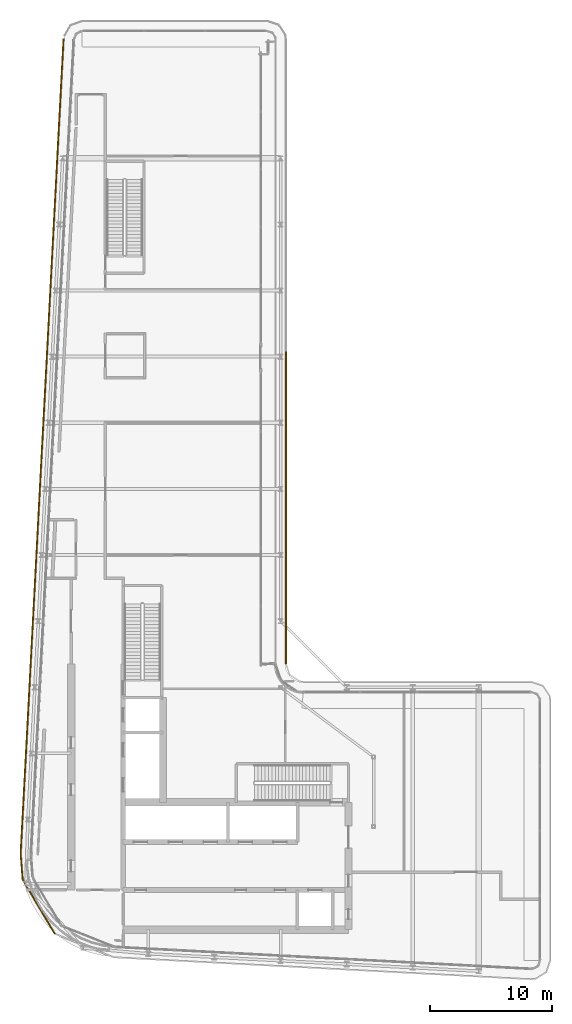
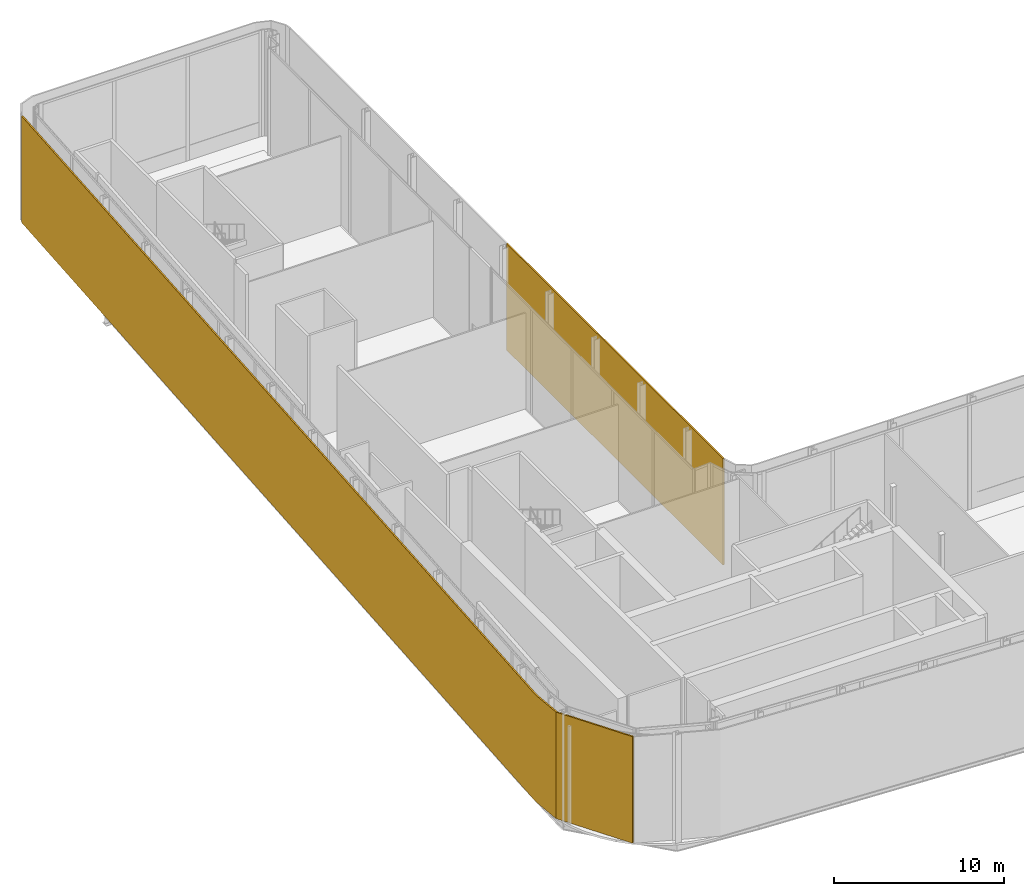
# One storey, part 27 of 28: 2 shading devices.
"""IFC4 building model written with IfcOpenShell, lengths in metres."""

from ifc_helpers import new_model, si_unit, direction, frame, origin, origin_2d, place, context, subcontext, project, spatial, polyline, rectangle, outline, extrude, material, layer, layer_set, type_object, element, save


model = new_model("IFC4")

# Units and contexts
model_context = context("Model", 3, precision=1e-05, world=origin(), true_north=direction((0.0, 1.0)))
body_context = subcontext(model_context, "Body", "Model", "MODEL_VIEW")
ifc_project = project(units=[si_unit("LENGTHUNIT", "METRE"), si_unit("AREAUNIT", "SQUARE_METRE"), si_unit("VOLUMEUNIT", "CUBIC_METRE"), si_unit("PLANEANGLEUNIT", "RADIAN"), si_unit("MASSUNIT", "GRAM", prefix="KILO")], contexts=[model_context])

# Site, building, storey
site_placement = place(None, origin())
site = spatial("IfcSite", under=ifc_project, at=site_placement, CompositionType="ELEMENT")
building_placement = place(site_placement, origin())
building = spatial("IfcBuilding", under=site, at=building_placement, Name="Kheshtan School and Residences Tower", CompositionType="ELEMENT")
storey_placement = place(building_placement, frame((0.0, 0.0, 325.39990234375)))
storey = spatial("IfcBuildingStorey", under=building, at=storey_placement, Name="L77", CompositionType="ELEMENT", Elevation=325.39990234375)

# Shading devices
ifc_material_1 = material(Name="Terracotta baguette, extruded ceramic", Category="masonry")
ifc_layer_1 = layer(ifc_material_1, 0.10009765625)
ifc_layer_set_1 = layer_set([ifc_layer_1], Name="Ledge screen, terracotta baguettes")
shading_device_type_1 = type_object("IfcShadingDeviceType", Name="Ledge screen, terracotta baguettes", PredefinedType="USERDEFINED", material=ifc_layer_set_1)
shading_device_1_placement = place(storey_placement, origin())
element("IfcShadingDevice", 1, at=shading_device_1_placement, inside=storey, type_object=shading_device_type_1, Name="Screen L77 5", ObjectType="BAGUETTE", PredefinedType="USERDEFINED", context=body_context, shape_type="SweptSolid", body=[
    extrude(outline(polyline([(29.2119140625, 25.486083984375), (26.583984375, 29.906982421875), (26.419921875, 31.989013671875), (29.925048828125, 98.5791015625), (29.824951171875, 98.583984375), (26.320068359375, 31.988037109375), (26.486083984375, 29.8759765625), (29.1259765625, 25.43505859375), (29.2119140625, 25.486083984375)])), origin(), (0.0, 0.0, 1.0), 7.650146484375),
])
ifc_material_2 = material(Name="Terracotta lattice, extruded ceramic", Category="masonry")
ifc_layer_2 = layer(ifc_material_2, 0.10009765625)
ifc_layer_set_2 = layer_set([ifc_layer_2], Name="Loggia screen, terracotta lattice")
shading_device_type_2 = type_object("IfcShadingDeviceType", Name="Loggia screen, terracotta lattice", PredefinedType="USERDEFINED", material=ifc_layer_set_2)
shading_device_2_placement = place(storey_placement, frame((48.050048828125, 60.25, 0.000244140625), z_axis=(0.0, 0.0, 1.0), x_axis=(0.0, -1.0, 0.0)))
element("IfcShadingDevice", 2, at=shading_device_2_placement, inside=storey, type_object=shading_device_type_2, Name="Screen L77 3", ObjectType="SCREEN", PredefinedType="USERDEFINED", context=body_context, shape_type="SweptSolid", body=[
    extrude(rectangle(XDim=25.5, YDim=0.10009765625, at=origin_2d()), origin(), (0.0, 0.0, 1.0), 7.64990234375),
])

save(model, "model.ifc")
